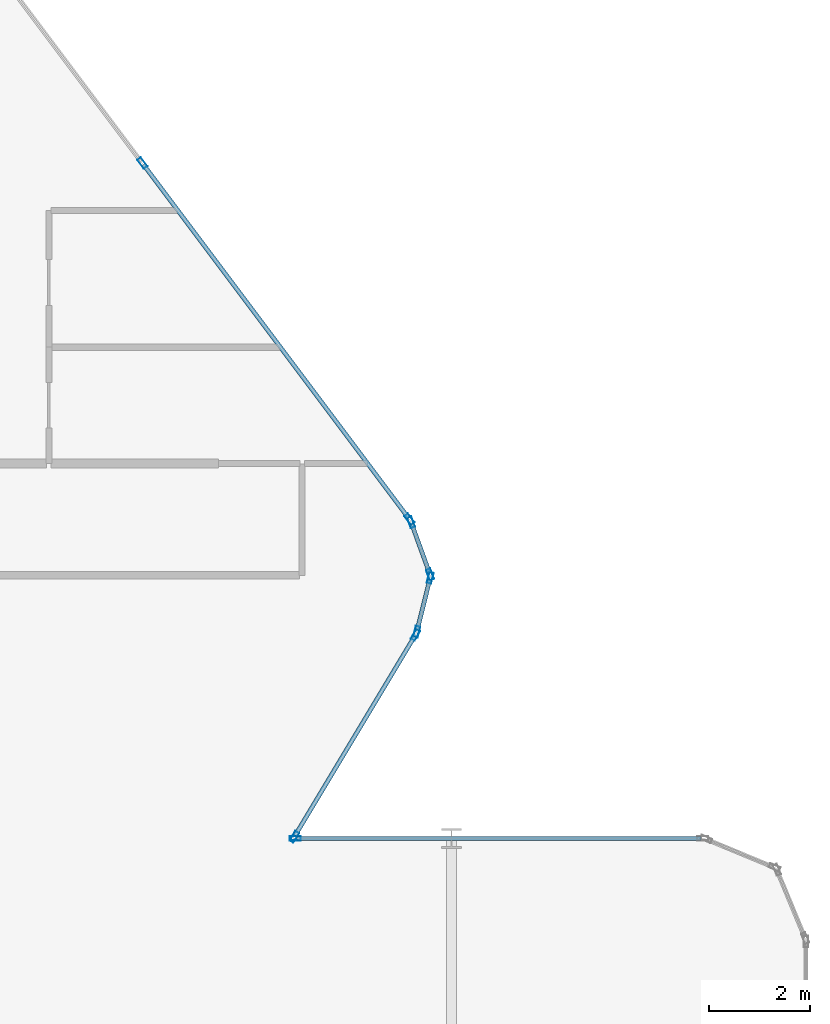
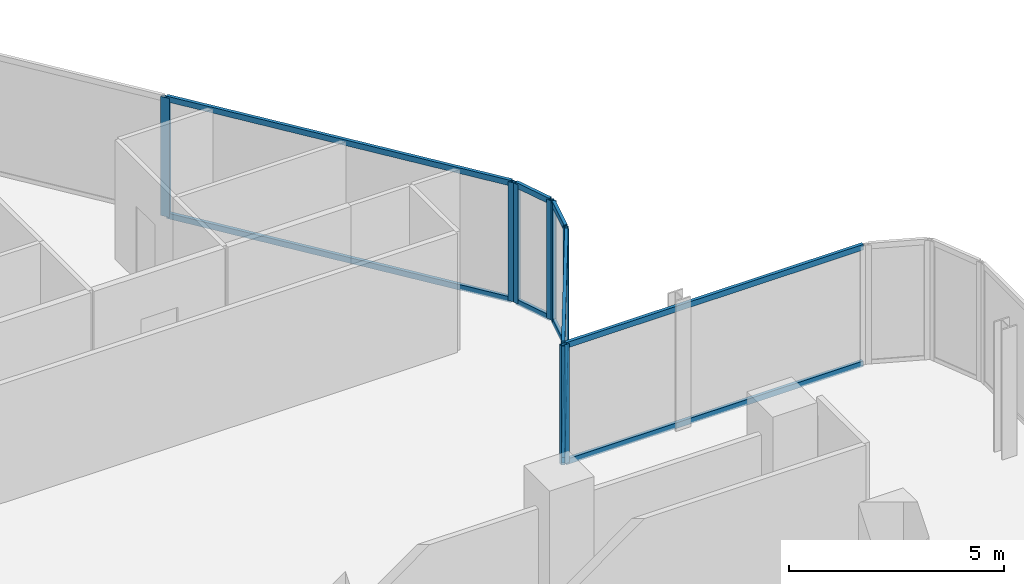
# One storey, part 15 of 33: 19 members, 5 elements without a shape of their own.
"""IFC4 building model written with IfcOpenShell, lengths in metres."""

from ifc_helpers import new_model, si_unit, direction, frame, origin, origin_2d, place, context, subcontext, project, spatial, hollow_rectangle, extrude, material, layer, layer_set, material_profile, profile_set, type_object, element, aggregate, save


model = new_model("IFC4")

# Units and contexts
model_context = context("Model", 3, precision=1e-05, world=origin(), true_north=direction((0.0, 1.0)))
body_context = subcontext(model_context, "Body", "Model", "MODEL_VIEW")
ifc_project = project(units=[si_unit("LENGTHUNIT", "METRE"), si_unit("AREAUNIT", "SQUARE_METRE"), si_unit("VOLUMEUNIT", "CUBIC_METRE"), si_unit("PLANEANGLEUNIT", "RADIAN"), si_unit("MASSUNIT", "GRAM", prefix="KILO")], contexts=[model_context])

# Site, building, storey
site_placement = place(None, origin())
site = spatial("IfcSite", under=ifc_project, at=site_placement, CompositionType="ELEMENT")
building_placement = place(site_placement, origin())
building = spatial("IfcBuilding", under=site, at=building_placement, Name="Keshet Zoharim Tower", CompositionType="ELEMENT")
storey_placement = place(building_placement, frame((0.0, 0.0, 73.800048828125)))
storey = spatial("IfcBuildingStorey", under=building, at=storey_placement, Name="L17", CompositionType="ELEMENT", Elevation=73.800048828125)

# Curtain wall, members
ifc_material = material(Name="Aluminium 6063-T6", Category="aluminium")
ifc_layer_1 = layer(ifc_material, 0.169921875)
ifc_layer_set_1 = layer_set([ifc_layer_1], Name="Aluminium 6063-T6")
curtain_wall_type_1 = type_object("IfcCurtainWallType", Name="CW-SYS-02", PredefinedType="NOTDEFINED", material=ifc_layer_set_1)
curtain_wall_1_placement = place(storey_placement, origin())
curtain_wall_1 = element("IfcCurtainWall", 1, at=curtain_wall_1_placement, inside=storey, type_object=curtain_wall_type_1, Name="L17 Unitised Curtain Wall 09", PredefinedType="NOTDEFINED")
ifc_material_profile_1 = material_profile(ifc_material, hollow_rectangle(XDim=0.090087890625, YDim=0.219970703125, WallThickness=0.0048828125, at=origin_2d()), Name="MUL-90x220")
ifc_profile_set_1 = profile_set([ifc_material_profile_1], Name="Aluminium 6063-T6")
member_type_1 = type_object("IfcMemberType", Name="CWM-M22", PredefinedType="MULLION", material=ifc_profile_set_1)
member_1_placement = place(storey_placement, frame((56.896484375, 46.0380859375, 0.0), z_axis=(0.0, 0.0, 1.0), x_axis=(0.799999999998, 0.600000000002, 0.0)))
member_1 = element("IfcMember", 2, at=member_1_placement, type_object=member_type_1, Name="CW-02 mullion 2", PredefinedType="MULLION", context=body_context, shape_type="SweptSolid", body=[
    extrude(hollow_rectangle(XDim=0.090087890625, YDim=0.219970703125, WallThickness=0.0048828125, at=origin_2d()), origin(), (0.0, 0.0, 1.0), 3.385009765625),
])
member_2_placement = place(storey_placement, frame((62.172119140625, 39.00390625, 0.0), z_axis=(0.0, 0.0, 1.0), x_axis=(0.799999999998, 0.600000000002, 0.0)))
member_2 = element("IfcMember", 3, at=member_2_placement, type_object=member_type_1, Name="CW-02 mullion 3", PredefinedType="MULLION", context=body_context, shape_type="SweptSolid", body=[
    extrude(hollow_rectangle(XDim=0.090087890625, YDim=0.219970703125, WallThickness=0.0048828125, at=origin_2d()), origin(), (0.0, 0.0, 1.0), 3.385009765625),
])

curtain_wall_2_placement = place(storey_placement, origin())
curtain_wall_2 = element("IfcCurtainWall", 4, at=curtain_wall_2_placement, inside=storey, type_object=curtain_wall_type_1, Name="L17 Unitised Curtain Wall 10", PredefinedType="NOTDEFINED")
member_3_placement = place(storey_placement, frame((62.204833984375, 38.943115234375, 0.0), z_axis=(0.0, 0.0, 1.0), x_axis=(0.940317877544, 0.340297354046, 0.0)))
member_3 = element("IfcMember", 5, at=member_3_placement, type_object=member_type_1, Name="CW-02 mullion 1", PredefinedType="MULLION", context=body_context, shape_type="SweptSolid", body=[
    extrude(hollow_rectangle(XDim=0.090087890625, YDim=0.219970703125, WallThickness=0.0048828125, at=origin_2d()), origin(), (0.0, 0.0, 1.0), 3.385009765625),
])
member_4_placement = place(storey_placement, frame((62.578125, 37.911865234375, 0.0), z_axis=(0.0, 0.0, 1.0), x_axis=(0.940317877544, 0.340297354046, 0.0)))
member_4 = element("IfcMember", 6, at=member_4_placement, type_object=member_type_1, Name="CW-02 mullion 2", PredefinedType="MULLION", context=body_context, shape_type="SweptSolid", body=[
    extrude(hollow_rectangle(XDim=0.090087890625, YDim=0.219970703125, WallThickness=0.0048828125, at=origin_2d()), origin(), (0.0, 0.0, 1.0), 3.385009765625),
])

curtain_wall_3_placement = place(storey_placement, origin())
curtain_wall_3 = element("IfcCurtainWall", 7, at=curtain_wall_3_placement, inside=storey, type_object=curtain_wall_type_1, Name="L17 Unitised Curtain Wall 11", PredefinedType="NOTDEFINED")
member_5_placement = place(storey_placement, frame((62.58154296875, 37.844970703125, 0.0), z_axis=(0.0, 0.0, 1.0), x_axis=(0.970343857447, -0.241728770141, 0.0)))
member_5 = element("IfcMember", 8, at=member_5_placement, type_object=member_type_1, Name="CW-02 mullion 1", PredefinedType="MULLION", context=body_context, shape_type="SweptSolid", body=[
    extrude(hollow_rectangle(XDim=0.090087890625, YDim=0.219970703125, WallThickness=0.0048828125, at=origin_2d()), origin(), (0.0, 0.0, 1.0), 3.385009765625),
])
member_6_placement = place(storey_placement, frame((62.31640625, 36.781005859375, 0.0), z_axis=(0.0, 0.0, 1.0), x_axis=(0.970343857447, -0.241728770141, 0.0)))
member_6 = element("IfcMember", 9, at=member_6_placement, type_object=member_type_1, Name="CW-02 mullion 2", PredefinedType="MULLION", context=body_context, shape_type="SweptSolid", body=[
    extrude(hollow_rectangle(XDim=0.090087890625, YDim=0.219970703125, WallThickness=0.0048828125, at=origin_2d()), origin(), (0.0, 0.0, 1.0), 3.385009765625),
])

ifc_layer_2 = layer(ifc_material, 0.179931640625)
ifc_layer_set_2 = layer_set([ifc_layer_2], Name="Aluminium 6063-T6")
curtain_wall_type_2 = type_object("IfcCurtainWallType", Name="CW-SYS-01", PredefinedType="NOTDEFINED", material=ifc_layer_set_2)
curtain_wall_4_placement = place(storey_placement, origin())
curtain_wall_4 = element("IfcCurtainWall", 10, at=curtain_wall_4_placement, inside=storey, type_object=curtain_wall_type_2, Name="L17 Unitised Curtain Wall 12", PredefinedType="NOTDEFINED")
member_7_placement = place(storey_placement, frame((62.2900390625, 36.717041015625, 0.0), z_axis=(0.0, 0.0, 1.0), x_axis=(0.857511621163, -0.51446459506, 0.0)))
member_7 = element("IfcMember", 11, at=member_7_placement, type_object=member_type_1, Name="CW-01 mullion 1", PredefinedType="MULLION", context=body_context, shape_type="SweptSolid", body=[
    extrude(hollow_rectangle(XDim=0.090087890625, YDim=0.219970703125, WallThickness=0.0048828125, at=origin_2d()), origin(), (0.0, 0.0, 1.0), 3.385009765625),
])
member_8_placement = place(storey_placement, frame((59.89794921875, 32.72998046875, 0.0), z_axis=(0.0, 0.0, 1.0), x_axis=(0.857511621163, -0.51446459506, 0.0)))
member_8 = element("IfcMember", 12, at=member_8_placement, type_object=member_type_1, Name="CW-01 mullion 2", PredefinedType="MULLION", context=body_context, shape_type="SweptSolid", body=[
    extrude(hollow_rectangle(XDim=0.090087890625, YDim=0.219970703125, WallThickness=0.0048828125, at=origin_2d()), origin(), (0.0, 0.0, 1.0), 3.385009765625),
])

# Curtain wall, member
curtain_wall_5_placement = place(storey_placement, origin())
curtain_wall_5 = element("IfcCurtainWall", 13, at=curtain_wall_5_placement, inside=storey, type_object=curtain_wall_type_1, Name="L17 Unitised Curtain Wall 13", PredefinedType="NOTDEFINED")
member_9_placement = place(storey_placement, frame((59.9150390625, 32.699951171875, 0.0), z_axis=(0.0, 0.0, 1.0), x_axis=(0.0, 1.0, 0.0)))
member_9 = element("IfcMember", 14, at=member_9_placement, type_object=member_type_1, Name="CW-02 mullion 1", PredefinedType="MULLION", context=body_context, shape_type="SweptSolid", body=[
    extrude(hollow_rectangle(XDim=0.090087890625, YDim=0.219970703125, WallThickness=0.0048828125, at=origin_2d()), origin(), (0.0, 0.0, 1.0), 3.385009765625),
])

# Member
ifc_material_profile_2 = material_profile(ifc_material, hollow_rectangle(XDim=0.0849609375, YDim=0.159912109375, WallThickness=0.00439453125, at=origin_2d()), Name="TRN-85x160")
ifc_profile_set_2 = profile_set([ifc_material_profile_2], Name="Aluminium 6063-T6")
member_type_2 = type_object("IfcMemberType", Name="CWT-T16", PredefinedType="USERDEFINED", material=ifc_profile_set_2)
member_10_placement = place(storey_placement, frame((56.91748046875, 46.010009765625, 0.034912109375), z_axis=(0.599991043201, -0.800006717521, 0.0), x_axis=(0.800006717521, 0.599991043201, 0.0)))
member_10 = element("IfcMember", 15, at=member_10_placement, type_object=member_type_2, Name="CW-02 transom 2.1", ObjectType="TRANSOM", PredefinedType="USERDEFINED", context=body_context, shape_type="SweptSolid", body=[
    extrude(hollow_rectangle(XDim=0.0849609375, YDim=0.159912109375, WallThickness=0.00439453125, at=origin_2d()), origin(), (0.0, 0.0, 1.0), 8.722412109375),
])

member_11_placement = place(storey_placement, frame((56.91748046875, 46.010009765625, 3.349853515625), z_axis=(0.599991043201, -0.800006717521, 0.0), x_axis=(0.800006717521, 0.599991043201, 0.0)))
member_11 = element("IfcMember", 16, at=member_11_placement, type_object=member_type_2, Name="CW-02 transom 2.2", ObjectType="TRANSOM", PredefinedType="USERDEFINED", context=body_context, shape_type="SweptSolid", body=[
    extrude(hollow_rectangle(XDim=0.0849609375, YDim=0.159912109375, WallThickness=0.00439453125, at=origin_2d()), origin(), (0.0, 0.0, 1.0), 8.722412109375),
])

aggregate(curtain_wall_1, [member_1, member_2, member_10, member_11])

member_12_placement = place(storey_placement, frame((62.216796875, 38.91015625, 0.034912109375), z_axis=(0.340310579984, -0.940313091024, 0.0), x_axis=(0.940313091024, 0.340310579984, 0.0)))
member_12 = element("IfcMember", 17, at=member_12_placement, type_object=member_type_2, Name="CW-02 transom 1.1", ObjectType="TRANSOM", PredefinedType="USERDEFINED", context=body_context, shape_type="SweptSolid", body=[
    extrude(hollow_rectangle(XDim=0.0849609375, YDim=0.159912109375, WallThickness=0.00439453125, at=origin_2d()), origin(), (0.0, 0.0, 1.0), 1.026611328125),
])

member_13_placement = place(storey_placement, frame((62.216796875, 38.91015625, 3.349853515625), z_axis=(0.340310579984, -0.940313091024, 0.0), x_axis=(0.940313091024, 0.340310579984, 0.0)))
member_13 = element("IfcMember", 18, at=member_13_placement, type_object=member_type_2, Name="CW-02 transom 1.2", ObjectType="TRANSOM", PredefinedType="USERDEFINED", context=body_context, shape_type="SweptSolid", body=[
    extrude(hollow_rectangle(XDim=0.0849609375, YDim=0.159912109375, WallThickness=0.00439453125, at=origin_2d()), origin(), (0.0, 0.0, 1.0), 1.026611328125),
])

aggregate(curtain_wall_2, [member_3, member_4, member_12, member_13])

member_14_placement = place(storey_placement, frame((62.572998046875, 37.81103515625, 0.034912109375), z_axis=(-0.241640143717, -0.970365931463, 0.0), x_axis=(0.970365931463, -0.241640143717, 0.0)))
member_14 = element("IfcMember", 19, at=member_14_placement, type_object=member_type_2, Name="CW-02 transom 1.1", ObjectType="TRANSOM", PredefinedType="USERDEFINED", context=body_context, shape_type="SweptSolid", body=[
    extrude(hollow_rectangle(XDim=0.0849609375, YDim=0.159912109375, WallThickness=0.00439453125, at=origin_2d()), origin(), (0.0, 0.0, 1.0), 1.026611328125),
])

member_15_placement = place(storey_placement, frame((62.572998046875, 37.81103515625, 3.349853515625), z_axis=(-0.241640143717, -0.970365931463, 0.0), x_axis=(0.970365931463, -0.241640143717, 0.0)))
member_15 = element("IfcMember", 20, at=member_15_placement, type_object=member_type_2, Name="CW-02 transom 1.2", ObjectType="TRANSOM", PredefinedType="USERDEFINED", context=body_context, shape_type="SweptSolid", body=[
    extrude(hollow_rectangle(XDim=0.0849609375, YDim=0.159912109375, WallThickness=0.00439453125, at=origin_2d()), origin(), (0.0, 0.0, 1.0), 1.026611328125),
])

aggregate(curtain_wall_3, [member_5, member_6, member_14, member_15])

member_16_placement = place(storey_placement, frame((62.27197265625, 36.68701171875, 0.034912109375), z_axis=(-0.514456555213, -0.857516444622, 0.0), x_axis=(0.857516444622, -0.514456555213, 0.0)))
member_16 = element("IfcMember", 21, at=member_16_placement, type_object=member_type_2, Name="CW-01 transom 1.1", ObjectType="TRANSOM", PredefinedType="USERDEFINED", context=body_context, shape_type="SweptSolid", body=[
    extrude(hollow_rectangle(XDim=0.0849609375, YDim=0.159912109375, WallThickness=0.00439453125, at=origin_2d()), origin(), (0.0, 0.0, 1.0), 4.57958984375),
])

member_17_placement = place(storey_placement, frame((62.27197265625, 36.68701171875, 3.349853515625), z_axis=(-0.514456555213, -0.857516444622, 0.0), x_axis=(0.857516444622, -0.514456555213, 0.0)))
member_17 = element("IfcMember", 22, at=member_17_placement, type_object=member_type_2, Name="CW-01 transom 1.2", ObjectType="TRANSOM", PredefinedType="USERDEFINED", context=body_context, shape_type="SweptSolid", body=[
    extrude(hollow_rectangle(XDim=0.0849609375, YDim=0.159912109375, WallThickness=0.00439453125, at=origin_2d()), origin(), (0.0, 0.0, 1.0), 4.57958984375),
])

aggregate(curtain_wall_4, [member_7, member_8, member_16, member_17])

member_18_placement = place(storey_placement, frame((59.949951171875, 32.699951171875, 0.034912109375), z_axis=(1.0, 0.0, 0.0), x_axis=(0.0, 1.0, 0.0)))
member_18 = element("IfcMember", 23, at=member_18_placement, type_object=member_type_2, Name="CW-02 transom 1.1", ObjectType="TRANSOM", PredefinedType="USERDEFINED", context=body_context, shape_type="SweptSolid", body=[
    extrude(hollow_rectangle(XDim=0.0849609375, YDim=0.159912109375, WallThickness=0.00439453125, at=origin_2d()), origin(), (0.0, 0.0, 1.0), 7.97998046875),
])

member_19_placement = place(storey_placement, frame((59.949951171875, 32.699951171875, 3.349853515625), z_axis=(1.0, 0.0, 0.0), x_axis=(0.0, 1.0, 0.0)))
member_19 = element("IfcMember", 24, at=member_19_placement, type_object=member_type_2, Name="CW-02 transom 1.2", ObjectType="TRANSOM", PredefinedType="USERDEFINED", context=body_context, shape_type="SweptSolid", body=[
    extrude(hollow_rectangle(XDim=0.0849609375, YDim=0.159912109375, WallThickness=0.00439453125, at=origin_2d()), origin(), (0.0, 0.0, 1.0), 7.97998046875),
])

aggregate(curtain_wall_5, [member_9, member_18, member_19])

save(model, "model.ifc")
